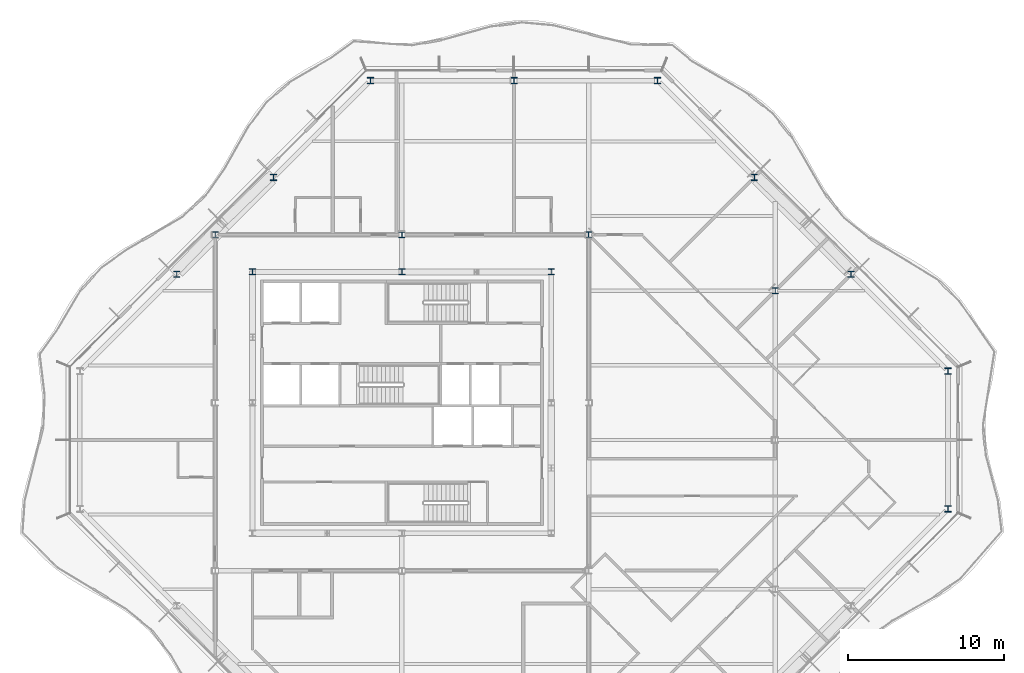
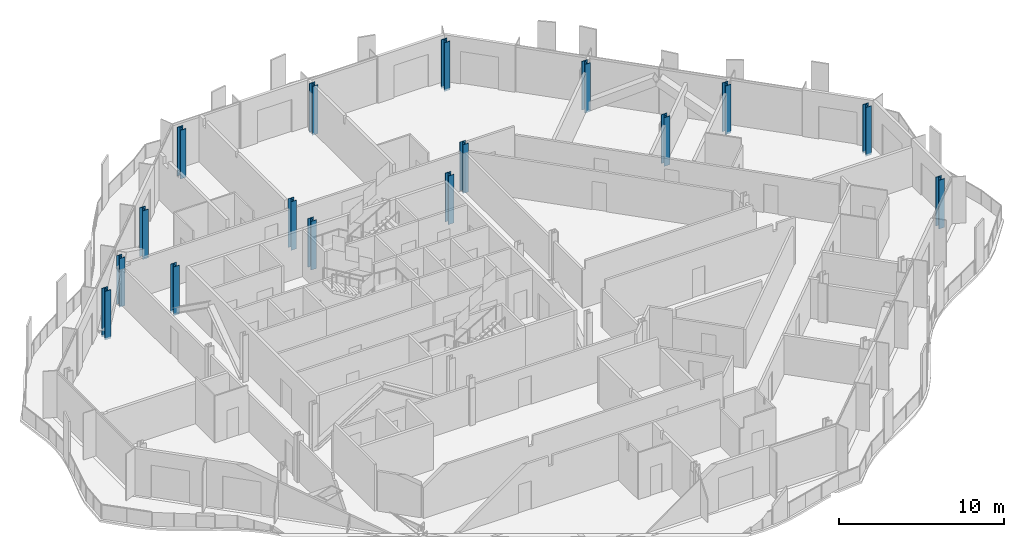
# One storey, part 2 of 17: 16 columns.
"""IFC4 building model written with IfcOpenShell, lengths in metres."""

from ifc_helpers import new_model, si_unit, direction, frame, origin, origin_2d, place, context, subcontext, project, spatial, i_section, extrude, material, material_profile, profile_set, type_object, element, save


model = new_model("IFC4")

# Units and contexts
model_context = context("Model", 3, precision=1e-05, world=origin(), true_north=direction((0.0, 1.0)))
body_context = subcontext(model_context, "Body", "Model", "MODEL_VIEW")
ifc_project = project(units=[si_unit("LENGTHUNIT", "METRE"), si_unit("AREAUNIT", "SQUARE_METRE"), si_unit("VOLUMEUNIT", "CUBIC_METRE"), si_unit("PLANEANGLEUNIT", "RADIAN"), si_unit("MASSUNIT", "GRAM", prefix="KILO")], contexts=[model_context])

# Site, building, storey
site_placement = place(None, origin())
site = spatial("IfcSite", under=ifc_project, at=site_placement, CompositionType="ELEMENT")
building_placement = place(site_placement, origin())
building = spatial("IfcBuilding", under=site, at=building_placement, Name="Cairn Pilgrim Tower", CompositionType="ELEMENT")
storey_placement = place(building_placement, frame((0.0, 0.0, 235.800048828125)))
storey = spatial("IfcBuildingStorey", under=building, at=storey_placement, Name="L60", CompositionType="ELEMENT", Elevation=235.800048828125)

# Columns
ifc_material_1 = material(Name="Structural steel S355J2", Category="steel")
ifc_material_profile_1 = material_profile(ifc_material_1, i_section(OverallWidth=0.39404296875, OverallDepth=0.375, WebThickness=0.017333984375, FlangeThickness=0.027587890625, FilletRadius=0.014892578125, at=origin_2d()), Name="HD 400x216")
ifc_profile_set_1 = profile_set([ifc_material_profile_1], Name="Structural steel S355J2")
column_type_1 = type_object("IfcColumnType", Name="HD 400x216", PredefinedType="COLUMN", material=ifc_profile_set_1)
for number, where, z_axis, x_axis, name in (
    (1, (-4.800048828125, 13.199951171875, -0.150146484375), (0.0, 0.0, 1.0), (1.0, 0.0, 0.0), "IC-6"),
    (2, (7.199951171875, 13.199951171875, -0.150146484375), (0.0, 0.0, 1.0), (1.0, 0.0, 0.0), "IC-7"),
    (3, (19.199951171875, 13.199951171875, -0.150146484375), (0.0, 0.0, 1.0), (1.0, 0.0, 0.0), "IC-8"),
):
    element("IfcColumn", number, at=place(storey_placement, frame(where, z_axis=z_axis, x_axis=x_axis)), inside=storey, type_object=column_type_1, Name=name, PredefinedType="COLUMN", context=body_context, shape_type="SweptSolid", body=[
        extrude(i_section(OverallWidth=0.39404296875, OverallDepth=0.375, WebThickness=0.017333984375, FlangeThickness=0.027587890625, FilletRadius=0.014892578125, at=origin_2d()), origin(), (0.0, 0.0, 1.0), 3.60009765625),
    ])
ifc_material_profile_2 = material_profile(ifc_material_1, i_section(OverallWidth=0.39794921875, OverallDepth=0.386962890625, WebThickness=0.02099609375, FlangeThickness=0.033203125, FilletRadius=0.014892578125, at=origin_2d()), Name="HD 400x262")
ifc_profile_set_2 = profile_set([ifc_material_profile_2], Name="Structural steel S355J2")
column_type_2 = type_object("IfcColumnType", Name="HD 400x262", PredefinedType="COLUMN", material=ifc_profile_set_2)
for number, where, z_axis, x_axis, name in (
    (4, (-2.39990234375, 10.800048828125, -0.150146484375), (0.0, 0.0, 1.0), (1.0, 0.0, 0.0), "KC-6"),
    (5, (7.199951171875, 10.800048828125, -0.150146484375), (0.0, 0.0, 1.0), (1.0, 0.0, 0.0), "KC-7"),
    (6, (16.800048828125, 10.800048828125, -0.150146484375), (0.0, 0.0, 1.0), (1.0, 0.0, 0.0), "KC-8"),
):
    element("IfcColumn", number, at=place(storey_placement, frame(where, z_axis=z_axis, x_axis=x_axis)), inside=storey, type_object=column_type_2, Name=name, PredefinedType="COLUMN", context=body_context, shape_type="SweptSolid", body=[
        extrude(i_section(OverallWidth=0.39794921875, OverallDepth=0.386962890625, WebThickness=0.02099609375, FlangeThickness=0.033203125, FilletRadius=0.014892578125, at=origin_2d()), origin(), (0.0, 0.0, 1.0), 3.60009765625),
    ])
ifc_material_profile_3 = material_profile(ifc_material_1, i_section(OverallWidth=0.39892578125, OverallDepth=0.39306640625, WebThickness=0.022705078125, FlangeThickness=0.03662109375, FilletRadius=0.014892578125, at=origin_2d()), Name="HD 400x287")
ifc_profile_set_3 = profile_set([ifc_material_profile_3], Name="Structural steel S355J2")
column_type_3 = type_object("IfcColumnType", Name="HD 400x287", PredefinedType="COLUMN", material=ifc_profile_set_3)
column_placement = place(storey_placement, frame((31.199951171875, 9.60009765625, -0.150146484375), z_axis=(0.0, 0.0, 1.0), x_axis=(1.0, 0.0, 0.0)))
element("IfcColumn", 7, at=column_placement, inside=storey, type_object=column_type_3, Name="WC-WE+2", PredefinedType="COLUMN", context=body_context, shape_type="SweptSolid", body=[
    extrude(i_section(OverallWidth=0.39892578125, OverallDepth=0.39306640625, WebThickness=0.022705078125, FlangeThickness=0.03662109375, FilletRadius=0.014892578125, at=origin_2d()), origin(), (0.0, 0.0, 1.0), 3.60009765625),
])
ifc_material_2 = material(Name="Structural steel S460M", Category="steel")
ifc_material_profile_4 = material_profile(ifc_material_2, i_section(OverallWidth=0.404052734375, OverallDepth=0.406982421875, WebThickness=0.027099609375, FlangeThickness=0.043701171875, FilletRadius=0.014892578125, at=origin_2d()), Name="HD 400x347")
ifc_profile_set_4 = profile_set([ifc_material_profile_4], Name="Structural steel S460M")
column_type_4 = type_object("IfcColumnType", Name="HD 400x347", PredefinedType="COLUMN", material=ifc_profile_set_4)
for number, where, z_axis, x_axis, name in (
    (8, (42.300048828125, -4.42724609375, -0.150146484375), (0.0, 0.0, 1.0), (1.0, 0.0, 0.0), "PC3-E1"),
    (9, (42.300048828125, 4.42724609375, -0.150146484375), (0.0, 0.0, 1.0), (1.0, 0.0, 0.0), "PC3-NE1"),
    (10, (36.07568359375, 10.651611328125, -0.150146484375), (0.0, 0.0, 1.0), (1.0, 0.0, 0.0), "PC3-NE2"),
    (11, (29.8515625, 16.875732421875, -0.150146484375), (0.0, 0.0, 1.0), (1.0, 0.0, 0.0), "PC3-NE3"),
    (12, (23.627197265625, 23.10009765625, -0.150146484375), (0.0, 0.0, 1.0), (1.0, 0.0, 0.0), "PC3-N1"),
    (13, (14.39990234375, 23.10009765625, -0.150146484375), (0.0, 0.0, 1.0), (1.0, 0.0, 0.0), "PC3-N2"),
    (14, (5.1728515625, 23.10009765625, -0.150146484375), (0.0, 0.0, 1.0), (1.0, 0.0, 0.0), "PC3-NW1"),
    (15, (-1.051513671875, 16.875732421875, -0.150146484375), (0.0, 0.0, 1.0), (1.0, 0.0, 0.0), "PC3-NW2"),
    (16, (-7.275634765625, 10.651611328125, -0.150146484375), (0.0, 0.0, 1.0), (1.0, 0.0, 0.0), "PC3-NW3"),
):
    element("IfcColumn", number, at=place(storey_placement, frame(where, z_axis=z_axis, x_axis=x_axis)), inside=storey, type_object=column_type_4, Name=name, PredefinedType="COLUMN", context=body_context, shape_type="SweptSolid", body=[
        extrude(i_section(OverallWidth=0.404052734375, OverallDepth=0.406982421875, WebThickness=0.027099609375, FlangeThickness=0.043701171875, FilletRadius=0.014892578125, at=origin_2d()), origin(), (0.0, 0.0, 1.0), 3.60009765625),
    ])

save(model, "model.ifc")
